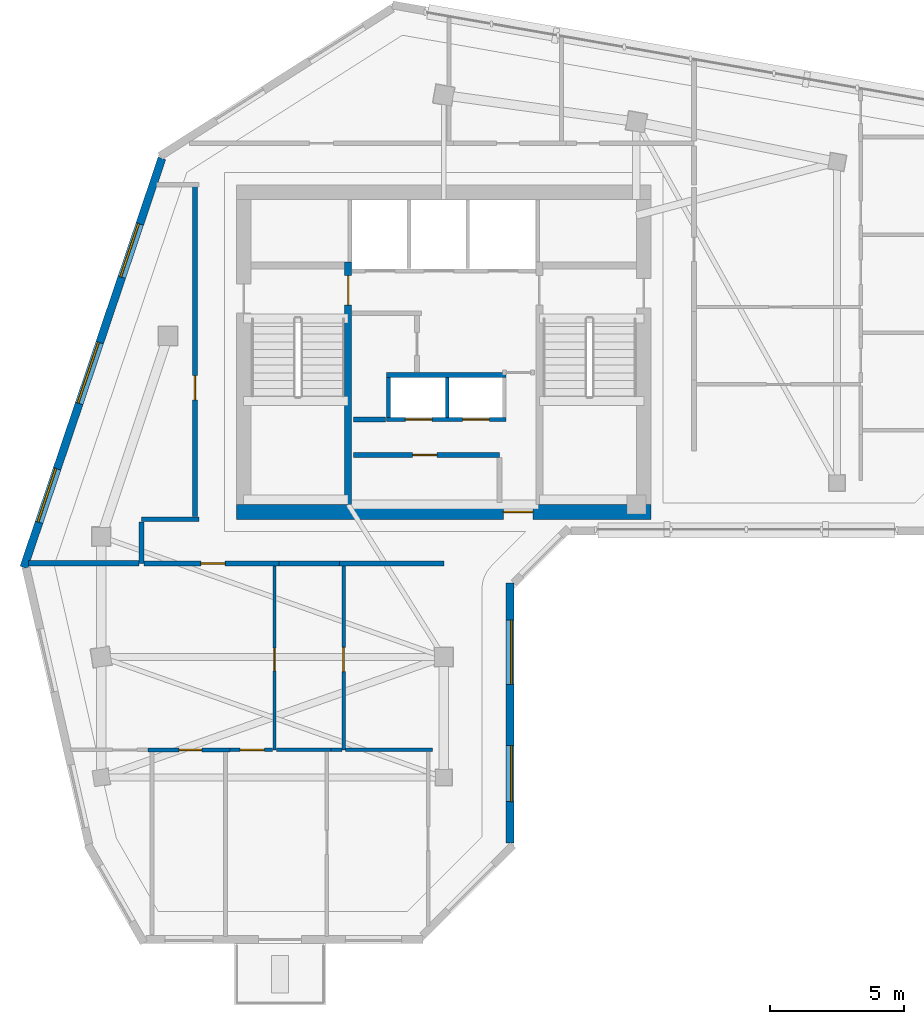
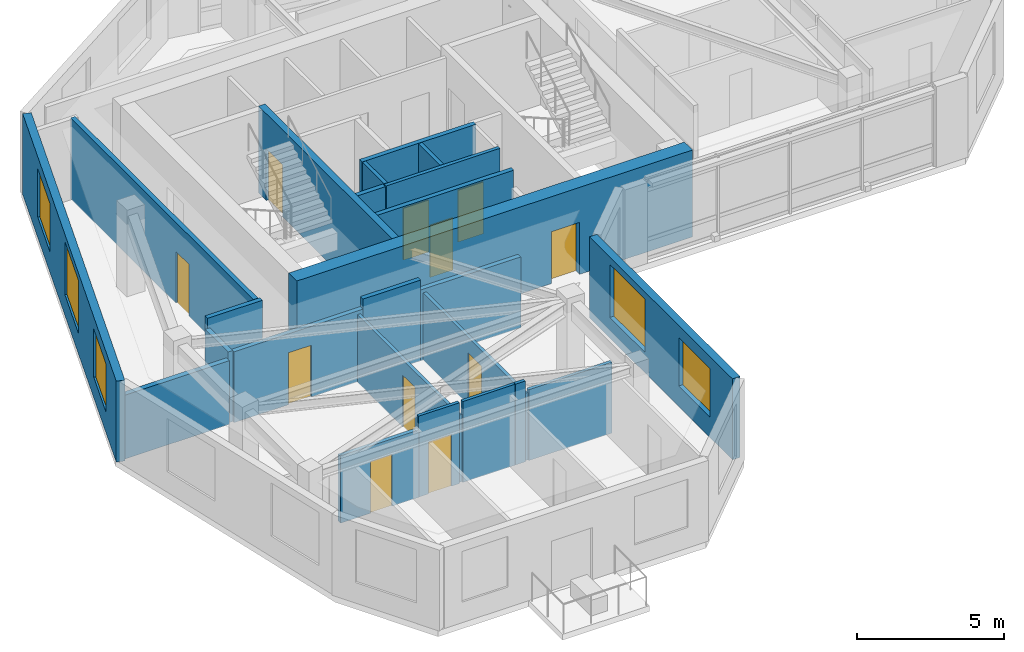
# One storey, part 3 of 8: 24 walls, 11 doors, 5 windows, 16 openings.
"""IFC4 building model written with IfcOpenShell, lengths in metres."""

from ifc_helpers import new_model, si_unit, direction, frame, frame_2d, origin, place, context, subcontext, project, spatial, rectangle, extrude, source, transform, mapped, material, layer, layer_set, type_object, element, fill, save


model = new_model("IFC4")

# Units and contexts
model_context = context("Model", 3, precision=1e-05, world=origin(), true_north=direction((0.0, 1.0)))
body_context = subcontext(model_context, "Body", "Model", "MODEL_VIEW")
ifc_project = project(units=[si_unit("LENGTHUNIT", "METRE"), si_unit("AREAUNIT", "SQUARE_METRE"), si_unit("VOLUMEUNIT", "CUBIC_METRE"), si_unit("PLANEANGLEUNIT", "RADIAN"), si_unit("MASSUNIT", "GRAM", prefix="KILO")], contexts=[model_context])

# Site, building, storey
site_placement = place(None, origin())
site = spatial("IfcSite", under=ifc_project, at=site_placement, CompositionType="ELEMENT")
building_placement = place(site_placement, origin())
building = spatial("IfcBuilding", under=site, at=building_placement, Name="Calvemar Wedge Station Tower", CompositionType="ELEMENT")
storey_placement = place(building_placement, frame((0.0, 0.0, 249.300048828125)))
storey = spatial("IfcBuildingStorey", under=building, at=storey_placement, Name="L63", CompositionType="ELEMENT", Elevation=249.300048828125)

# Wall, opening, door
ifc_material_1 = material(Name="Concrete C50", Category="concrete")
ifc_layer_1 = layer(ifc_material_1, 0.260009765625)
ifc_layer_set_1 = layer_set([ifc_layer_1], Name="Concrete C50")
wall_type_1 = type_object("IfcWallType", Name="SW-CORE-260", PredefinedType="SHEAR", material=ifc_layer_set_1)
wall_1_placement = place(storey_placement, frame((20.22998046875, 34.199951171875, 0.0), z_axis=(0.0, 0.0, 1.0), x_axis=(0.0, 1.0, 0.0)))
wall_1 = element("IfcWall", 1, at=wall_1_placement, inside=storey, type_object=wall_type_1, Name="Storey L63 Core Shear Wall SPINE-W", PredefinedType="SHEAR", context=body_context, shape_type="SweptSolid", body=[
    extrude(rectangle(XDim=9.06005859375, YDim=0.260009765625, at=frame_2d((4.530029296875, 0.0))), origin(), (0.0, 0.0, 1.0), 3.599853515625),
])
shared_shape_1 = source(origin(), body_context, "Body", "SweptSolid", [
    extrude(rectangle(XDim=1.10009765625, YDim=2.14990234375, at=frame_2d((0.550048828125, 1.074951171875))), frame((0.0, 0.14013671875, 0.0), z_axis=(0.0, -1.0, 0.0), x_axis=(1.0, 0.0, 0.0)), (0.0, 0.0, 1.0), 0.280029296875),
])
opening_1_placement = place(wall_1_placement, frame((7.449951171875, 0.0, 0.0)))
opening_1 = element("IfcOpeningElement", 2, at=opening_1_placement, cuts=wall_1, Name="Opening FD-90", PredefinedType="OPENING", context=body_context, shape_type="MappedRepresentation", body=[
    mapped(shared_shape_1, transform((0.0, 0.0, 0.0), scale=1.0)),
])
ifc_material_2 = material(Name="Galvanized fire-rated steel door leaf P-90", Category="steel")
door_type_1 = type_object("IfcDoorType", Name="DR-FD90-1100", OperationType="NOTDEFINED", PredefinedType="DOOR", material=ifc_material_2)
shared_shape_2 = source(origin(), body_context, "Body", "SweptSolid", [
    extrude(rectangle(XDim=1.10009765625, YDim=2.14990234375, at=frame_2d((0.550048828125, 1.074951171875))), frame((0.0, 0.02490234375, 0.0), z_axis=(0.0, -1.0, 0.0), x_axis=(1.0, 0.0, 0.0)), (0.0, 0.0, 1.0), 0.050048828125),
])
door_1_placement = place(opening_1_placement, origin())
door_1 = element("IfcDoor", 3, at=door_1_placement, inside=storey, type_object=door_type_1, Name="L63 FF Lobby to Stair ST-C1 Door", OperationType="SINGLE_SWING_RIGHT", OverallHeight=2.14990234375, OverallWidth=1.10009765625, PredefinedType="DOOR", context=body_context, shape_type="MappedRepresentation", body=[
    mapped(shared_shape_2, transform((0.0, 0.0, 0.0), scale=1.0)),
])
fill(opening_1, door_1)

ifc_material_3 = material(Name="Concrete C60", Category="concrete")
ifc_layer_2 = layer(ifc_material_3, 0.550048828125)
ifc_layer_set_2 = layer_set([ifc_layer_2], Name="Concrete C60")
wall_type_2 = type_object("IfcWallType", Name="SW-CORE-550", PredefinedType="SHEAR", material=ifc_layer_set_2)
wall_2_placement = place(storey_placement, frame((16.050048828125, 33.925048828125, 0.0), z_axis=(0.0, 0.0, 1.0), x_axis=(1.0, 0.0, 0.0)))
wall_2 = element("IfcWall", 4, at=wall_2_placement, inside=storey, type_object=wall_type_2, Name="Storey L63 Core Shear Wall S", PredefinedType="SHEAR", context=body_context, shape_type="SweptSolid", body=[
    extrude(rectangle(XDim=15.5, YDim=0.550048828125, at=frame_2d((7.75, 0.0))), origin(), (0.0, 0.0, 1.0), 3.599853515625),
])
shared_shape_3 = source(origin(), body_context, "Body", "SweptSolid", [
    extrude(rectangle(XDim=1.10009765625, YDim=2.14990234375, at=frame_2d((0.550048828125, 1.074951171875))), frame((0.0, 0.28515625, 0.0), z_axis=(0.0, -1.0, 0.0), x_axis=(1.0, 0.0, 0.0)), (0.0, 0.0, 1.0), 0.570068359375),
])
opening_2_placement = place(wall_2_placement, frame((9.97998046875, 0.0, 0.0)))
opening_2 = element("IfcOpeningElement", 5, at=opening_2_placement, cuts=wall_2, Name="Opening FD-90", PredefinedType="OPENING", context=body_context, shape_type="MappedRepresentation", body=[
    mapped(shared_shape_3, transform((0.0, 0.0, 0.0), scale=1.0)),
])
door_2_placement = place(opening_2_placement, origin())
door_2 = element("IfcDoor", 6, at=door_2_placement, inside=storey, type_object=door_type_1, Name="L63 Passenger Lift Lobby Door", OperationType="SINGLE_SWING_RIGHT", OverallHeight=2.14990234375, OverallWidth=1.10009765625, PredefinedType="DOOR", context=body_context, shape_type="MappedRepresentation", body=[
    mapped(shared_shape_2, transform((0.0, 0.0, 0.0), scale=1.0)),
])
fill(opening_2, door_2)

# Wall
ifc_material_4 = material(Name="Double-stud fire-rated corridor partition")
ifc_layer_3 = layer(ifc_material_4, 0.179931640625)
ifc_layer_set_3 = layer_set([ifc_layer_3], Name="Double-stud fire-rated corridor partition")
wall_type_3 = type_object("IfcWallType", Name="W-CORR-180", PredefinedType="PARTITIONING", material=ifc_layer_set_3)
wall_3_placement = place(storey_placement, frame((21.6298828125, 37.3798828125, 0.0), z_axis=(0.0, 0.0, 1.0), x_axis=(-1.0, 0.0, 0.0)))
element("IfcWall", 7, at=wall_3_placement, inside=storey, type_object=wall_type_3, Name="Storey L63 Interior Partition WL-L63-003", PredefinedType="PARTITIONING", context=body_context, shape_type="SweptSolid", body=[
    extrude(rectangle(XDim=1.2099609375, YDim=0.179931640625, at=frame_2d((0.60498046875, 0.0))), origin(), (0.0, 0.0, 1.0), 3.349853515625),
])

# Wall, opening, door
wall_4_placement = place(storey_placement, frame((20.419921875, 36.050048828125, 0.0), z_axis=(0.0, 0.0, 1.0), x_axis=(1.0, 0.0, 0.0)))
wall_4 = element("IfcWall", 8, at=wall_4_placement, inside=storey, type_object=wall_type_3, Name="Storey L63 Interior Partition WL-L63-005", PredefinedType="PARTITIONING", context=body_context, shape_type="SweptSolid", body=[
    extrude(rectangle(XDim=5.4599609375, YDim=0.179931640625, at=frame_2d((2.72998046875, 0.0))), origin(), (0.0, 0.0, 1.0), 3.349853515625),
])
shared_shape_4 = source(origin(), body_context, "Body", "SweptSolid", [
    extrude(rectangle(XDim=0.89990234375, YDim=2.14990234375, at=frame_2d((0.449951171875, 1.074951171875))), frame((0.0, 0.10009765625, 0.0), z_axis=(0.0, -1.0, 0.0), x_axis=(1.0, 0.0, 0.0)), (0.0, 0.0, 1.0), 0.199951171875),
])
opening_3_placement = place(wall_4_placement, frame((2.219482421875, 0.0, 0.0)))
opening_3 = element("IfcOpeningElement", 9, at=opening_3_placement, cuts=wall_4, Name="Opening FD-60", PredefinedType="OPENING", context=body_context, shape_type="MappedRepresentation", body=[
    mapped(shared_shape_4, transform((0.0, 0.0, 0.0), scale=1.0)),
])
ifc_material_5 = material(Name="Fire-rated acoustic timber-core entrance door EI 60", Category="wood")
door_type_2 = type_object("IfcDoorType", Name="DR-FD60-900", OperationType="NOTDEFINED", PredefinedType="DOOR", material=ifc_material_5)
shared_shape_5 = source(origin(), body_context, "Body", "SweptSolid", [
    extrude(rectangle(XDim=0.89990234375, YDim=2.14990234375, at=frame_2d((0.449951171875, 1.074951171875))), frame((0.0, 0.02490234375, 0.0), z_axis=(0.0, -1.0, 0.0), x_axis=(1.0, 0.0, 0.0)), (0.0, 0.0, 1.0), 0.050048828125),
])
door_3_placement = place(opening_3_placement, origin())
door_3 = element("IfcDoor", 10, at=door_3_placement, inside=storey, type_object=door_type_2, Name="L63 Wine and Parcel Store Door", OperationType="SINGLE_SWING_LEFT", OverallHeight=2.14990234375, OverallWidth=0.89990234375, PredefinedType="DOOR", context=body_context, shape_type="MappedRepresentation", body=[
    mapped(shared_shape_5, transform((0.0, 0.0, 0.0), scale=1.0)),
])
fill(opening_3, door_3)

# Walls
wall_5_placement = place(storey_placement, frame((12.5, 33.64990234375, 0.0), z_axis=(0.0, 0.0, 1.0), x_axis=(1.0, 0.0, 0.0)))
element("IfcWall", 11, at=wall_5_placement, inside=storey, type_object=wall_type_3, Name="Storey L63 Interior Partition WL-L63-007", PredefinedType="PARTITIONING", context=body_context, shape_type="SweptSolid", body=[
    extrude(rectangle(XDim=2.159912109375, YDim=0.179931640625, at=frame_2d((1.080078125, 0.0))), origin(), (0.0, 0.0, 1.0), 3.349853515625),
])
wall_6_placement = place(storey_placement, frame((12.5, 32.0, 0.0), z_axis=(0.0, 0.0, 1.0), x_axis=(0.0, 1.0, 0.0)))
element("IfcWall", 12, at=wall_6_placement, inside=storey, type_object=wall_type_3, Name="Storey L63 Interior Partition WL-L63-008", PredefinedType="PARTITIONING", context=body_context, shape_type="SweptSolid", body=[
    extrude(rectangle(XDim=1.555908203125, YDim=0.179931640625, at=frame_2d((0.77783203125, 0.0))), origin(), (0.0, 0.0, 1.0), 2.93505859375),
])
wall_7_placement = place(storey_placement, frame((23.818115234375, 32.0, 0.0), z_axis=(0.0, 0.0, 1.0), x_axis=(-1.0, 0.0, 0.0)))
element("IfcWall", 13, at=wall_7_placement, inside=storey, type_object=wall_type_3, Name="Storey L63 Interior Partition WL-L63-009", PredefinedType="PARTITIONING", context=body_context, shape_type="SweptSolid", body=[
    extrude(rectangle(XDim=3.920166015625, YDim=0.179931640625, at=frame_2d((1.9599609375, 0.0))), origin(), (0.0, 0.0, 1.0), 2.93505859375),
])

# Wall, opening, door
wall_8_placement = place(storey_placement, frame((17.635009765625, 32.0, 0.0), z_axis=(0.0, 0.0, 1.0), x_axis=(-1.0, 0.0, 0.0)))
wall_8 = element("IfcWall", 14, at=wall_8_placement, inside=storey, type_object=wall_type_3, Name="Storey L63 Interior Partition WL-L63-010", PredefinedType="PARTITIONING", context=body_context, shape_type="SweptSolid", body=[
    extrude(rectangle(XDim=5.041015625, YDim=0.179931640625, at=frame_2d((2.5205078125, 0.0))), origin(), (0.0, 0.0, 1.0), 2.93505859375),
])
opening_4_placement = place(wall_8_placement, frame((2.0087890625, 0.0, 0.0)))
opening_4 = element("IfcOpeningElement", 15, at=opening_4_placement, cuts=wall_8, Name="Opening FD-60", PredefinedType="OPENING", context=body_context, shape_type="MappedRepresentation", body=[
    mapped(shared_shape_4, transform((0.0, 0.0, 0.0), scale=1.0)),
])
door_4_placement = place(opening_4_placement, origin())
door_4 = element("IfcDoor", 16, at=door_4_placement, inside=storey, type_object=door_type_2, Name="L63 Living Dining Door", OperationType="SINGLE_SWING_LEFT", OverallHeight=2.14990234375, OverallWidth=0.89990234375, PredefinedType="DOOR", context=body_context, shape_type="MappedRepresentation", body=[
    mapped(shared_shape_5, transform((0.0, 0.0, 0.0), scale=1.0)),
])
fill(opening_4, door_4)

# Wall
wall_9_placement = place(storey_placement, frame((19.89599609375, 32.0, 0.0), z_axis=(0.0, 0.0, 1.0), x_axis=(-1.0, 0.0, 0.0)))
element("IfcWall", 17, at=wall_9_placement, inside=storey, type_object=wall_type_3, Name="Storey L63 Interior Partition WL-L63-011", PredefinedType="PARTITIONING", context=body_context, shape_type="SweptSolid", body=[
    extrude(rectangle(XDim=2.259033203125, YDim=0.179931640625, at=frame_2d((1.12939453125, 0.0))), origin(), (0.0, 0.0, 1.0), 3.349853515625),
])

# Wall, opening, door
wall_10_placement = place(storey_placement, frame((14.5, 33.743896484375, 0.0), z_axis=(0.0, 0.0, 1.0), x_axis=(0.0, 1.0, 0.0)))
wall_10 = element("IfcWall", 18, at=wall_10_placement, inside=storey, type_object=wall_type_3, Name="Storey L63 Interior Partition WL-L63-012", PredefinedType="PARTITIONING", context=body_context, shape_type="SweptSolid", body=[
    extrude(rectangle(XDim=12.406005859375, YDim=0.179931640625, at=frame_2d((6.203125, 0.0))), origin(), (0.0, 0.0, 1.0), 3.349853515625),
])
opening_5_placement = place(wall_10_placement, frame((4.36962890625, 0.0, 0.0)))
opening_5 = element("IfcOpeningElement", 19, at=opening_5_placement, cuts=wall_10, Name="Opening D-01", PredefinedType="OPENING", context=body_context, shape_type="MappedRepresentation", body=[
    mapped(shared_shape_4, transform((0.0, 0.0, 0.0), scale=1.0)),
])
ifc_material_6 = material(Name="Architectural hardwood acoustic swing door", Category="wood")
door_type_3 = type_object("IfcDoorType", Name="DR-INT-900", OperationType="NOTDEFINED", PredefinedType="DOOR", material=ifc_material_6)
shared_shape_6 = source(origin(), body_context, "Body", "SweptSolid", [
    extrude(rectangle(XDim=0.89990234375, YDim=2.14990234375, at=frame_2d((0.449951171875, 1.074951171875))), frame((0.0, 0.02490234375, 0.0), z_axis=(0.0, -1.0, 0.0), x_axis=(1.0, 0.0, 0.0)), (0.0, 0.0, 1.0), 0.050048828125),
])
door_5_placement = place(opening_5_placement, origin())
door_5 = element("IfcDoor", 20, at=door_5_placement, inside=storey, type_object=door_type_3, Name="L63 Resident Reading Lounge Door", OperationType="SINGLE_SWING_RIGHT", OverallHeight=2.14990234375, OverallWidth=0.89990234375, PredefinedType="DOOR", context=body_context, shape_type="MappedRepresentation", body=[
    mapped(shared_shape_6, transform((0.0, 0.0, 0.0), scale=1.0)),
])
fill(opening_5, door_5)

# Wall
ifc_material_7 = material(Name="Twin-stud fire-rated inter-tenancy wall")
ifc_layer_4 = layer(ifc_material_7, 0.199951171875)
ifc_layer_set_4 = layer_set([ifc_layer_4], Name="Twin-stud fire-rated inter-tenancy wall")
wall_type_4 = type_object("IfcWallType", Name="W-DEMISE-200", PredefinedType="PARTITIONING", material=ifc_layer_set_4)
wall_11_placement = place(storey_placement, frame((12.406005859375, 32.0, 0.0), z_axis=(0.0, 0.0, 1.0), x_axis=(-1.0, 0.0, 0.0)))
element("IfcWall", 21, at=wall_11_placement, inside=storey, type_object=wall_type_4, Name="Storey L63 Interior Partition WL-L63-021", PredefinedType="PARTITIONING", context=body_context, shape_type="SweptSolid", body=[
    extrude(rectangle(XDim=4.126220703125, YDim=0.199951171875, at=frame_2d((2.06298828125, 0.0))), origin(), (0.0, 0.0, 1.0), 2.641845703125),
])

# Wall, openings, windows
ifc_material_8 = material(Name="Precast concrete C45", Category="concrete")
ifc_layer_5 = layer(ifc_material_8, 0.300048828125)
ifc_layer_set_5 = layer_set([ifc_layer_5], Name="Precast concrete C45")
wall_type_5 = type_object("IfcWallType", Name="W-EXT-GFRC-300", PredefinedType="SOLIDWALL", material=ifc_layer_set_5)
wall_12_placement = place(storey_placement, frame((26.281982421875, 21.557373046875, 0.0), z_axis=(0.0, 0.0, 1.0), x_axis=(0.0, 1.0, 0.0)))
wall_12 = element("IfcWall", 22, at=wall_12_placement, inside=storey, type_object=wall_type_5, Name="Storey L63 Bronze GFRC Exterior Wall 4", PredefinedType="SOLIDWALL", context=body_context, shape_type="SweptSolid", body=[
    extrude(rectangle(XDim=9.710693359375, YDim=0.300048828125, at=frame_2d((4.85546875, 0.0))), origin(), (0.0, 0.0, 1.0), 3.349853515625),
])
shared_shape_7 = source(origin(), body_context, "Body", "SweptSolid", [
    extrude(rectangle(XDim=2.10009765625, YDim=2.0, at=frame_2d((1.050048828125, 1.0))), frame((0.0, 0.16015625, 0.0), z_axis=(0.0, -1.0, 0.0), x_axis=(1.0, 0.0, 0.0)), (0.0, 0.0, 1.0), 0.320068359375),
])
opening_6_placement = place(wall_12_placement, frame((1.5380859375, 0.0, 0.85009765625)))
opening_6 = element("IfcOpeningElement", 23, at=opening_6_placement, cuts=wall_12, Name="Opening W4", PredefinedType="OPENING", context=body_context, shape_type="MappedRepresentation", body=[
    mapped(shared_shape_7, transform((0.0, 0.0, 0.0), scale=1.0)),
])
shared_shape_8 = source(origin(), body_context, "Body", "SweptSolid", [
    extrude(rectangle(XDim=2.39990234375, YDim=2.199951171875, at=frame_2d((1.199951171875, 1.10009765625))), frame((0.0, 0.16015625, 0.0), z_axis=(0.0, -1.0, 0.0), x_axis=(1.0, 0.0, 0.0)), (0.0, 0.0, 1.0), 0.320068359375),
])
opening_7_placement = place(wall_12_placement, frame((5.923095703125, 0.0, 0.85009765625)))
opening_7 = element("IfcOpeningElement", 24, at=opening_7_placement, cuts=wall_12, Name="Opening W1", PredefinedType="OPENING", context=body_context, shape_type="MappedRepresentation", body=[
    mapped(shared_shape_8, transform((0.0, 0.0, 0.0), scale=1.0)),
])
ifc_material_9 = material(Name="Low-E laminated insulated glass", Category="glass")
window_type_1 = type_object("IfcWindowType", Name="WIN-EXT-4", PartitioningType="SINGLE_PANEL", PredefinedType="WINDOW", material=ifc_material_9)
shared_shape_9 = source(origin(), body_context, "Body", "SweptSolid", [
    extrude(rectangle(XDim=2.10009765625, YDim=2.0, at=frame_2d((1.050048828125, 1.0))), frame((0.0, -0.014892578125, 0.0), z_axis=(0.0, -1.0, 0.0), x_axis=(1.0, 0.0, 0.0)), (0.0, 0.0, 1.0), 0.06005859375),
])
window_1_placement = place(opening_6_placement, origin())
window_1 = element("IfcWindow", 25, at=window_1_placement, inside=storey, type_object=window_type_1, Name="Storey L63 Recessed Window 4.1", OverallHeight=2.0, OverallWidth=2.10009765625, PartitioningType="SINGLE_PANEL", PredefinedType="WINDOW", context=body_context, shape_type="MappedRepresentation", body=[
    mapped(shared_shape_9, transform((0.0, 0.0, 0.0), scale=1.0)),
])
fill(opening_6, window_1)
window_type_2 = type_object("IfcWindowType", Name="WIN-EXT-1", PartitioningType="SINGLE_PANEL", PredefinedType="WINDOW", material=ifc_material_9)
shared_shape_10 = source(origin(), body_context, "Body", "SweptSolid", [
    extrude(rectangle(XDim=2.39990234375, YDim=2.199951171875, at=frame_2d((1.199951171875, 1.10009765625))), frame((0.0, -0.014892578125, 0.0), z_axis=(0.0, -1.0, 0.0), x_axis=(1.0, 0.0, 0.0)), (0.0, 0.0, 1.0), 0.06005859375),
])
window_2_placement = place(opening_7_placement, origin())
window_2 = element("IfcWindow", 26, at=window_2_placement, inside=storey, type_object=window_type_2, Name="Storey L63 Recessed Window 4.2", OverallHeight=2.199951171875, OverallWidth=2.39990234375, PartitioningType="SINGLE_PANEL", PredefinedType="WINDOW", context=body_context, shape_type="MappedRepresentation", body=[
    mapped(shared_shape_10, transform((0.0, 0.0, 0.0), scale=1.0)),
])
fill(opening_7, window_2)

wall_13_placement = place(storey_placement, frame((13.2685546875, 47.1337890625, 0.0), z_axis=(0.0, 0.0, 1.0), x_axis=(-0.3199211297, -0.947444178182, 0.0)))
wall_13 = element("IfcWall", 27, at=wall_13_placement, inside=storey, type_object=wall_type_5, Name="Storey L63 Bronze GFRC Exterior Wall 12", PredefinedType="SOLIDWALL", context=body_context, shape_type="SweptSolid", body=[
    extrude(rectangle(XDim=16.1318359375, YDim=0.300048828125, at=frame_2d((8.06591796875, 0.0))), origin(), (0.0, 0.0, 1.0), 3.349853515625),
])
opening_8_placement = place(wall_13_placement, frame((2.5849609375, 0.0, 0.85009765625)))
opening_8 = element("IfcOpeningElement", 28, at=opening_8_placement, cuts=wall_13, Name="Opening W4", PredefinedType="OPENING", context=body_context, shape_type="MappedRepresentation", body=[
    mapped(shared_shape_7, transform((0.0, 0.0, 0.0), scale=1.0)),
])
opening_9_placement = place(wall_13_placement, frame((7.26708984375, 0.0, 0.85009765625)))
opening_9 = element("IfcOpeningElement", 29, at=opening_9_placement, cuts=wall_13, Name="Opening W1", PredefinedType="OPENING", context=body_context, shape_type="MappedRepresentation", body=[
    mapped(shared_shape_8, transform((0.0, 0.0, 0.0), scale=1.0)),
])
opening_10_placement = place(wall_13_placement, frame((12.2490234375, 0.0, 0.85009765625)))
opening_10 = element("IfcOpeningElement", 30, at=opening_10_placement, cuts=wall_13, Name="Opening W4", PredefinedType="OPENING", context=body_context, shape_type="MappedRepresentation", body=[
    mapped(shared_shape_7, transform((0.0, 0.0, 0.0), scale=1.0)),
])
window_3_placement = place(opening_8_placement, origin())
window_3 = element("IfcWindow", 31, at=window_3_placement, inside=storey, type_object=window_type_1, Name="Storey L63 Recessed Window 12.1", OverallHeight=2.0, OverallWidth=2.10009765625, PartitioningType="SINGLE_PANEL", PredefinedType="WINDOW", context=body_context, shape_type="MappedRepresentation", body=[
    mapped(shared_shape_9, transform((0.0, 0.0, 0.0), scale=1.0)),
])
fill(opening_8, window_3)
window_4_placement = place(opening_10_placement, origin())
window_4 = element("IfcWindow", 32, at=window_4_placement, inside=storey, type_object=window_type_1, Name="Storey L63 Recessed Window 12.3", OverallHeight=2.0, OverallWidth=2.10009765625, PartitioningType="SINGLE_PANEL", PredefinedType="WINDOW", context=body_context, shape_type="MappedRepresentation", body=[
    mapped(shared_shape_9, transform((0.0, 0.0, 0.0), scale=1.0)),
])
fill(opening_10, window_4)
window_5_placement = place(opening_9_placement, origin())
window_5 = element("IfcWindow", 33, at=window_5_placement, inside=storey, type_object=window_type_2, Name="Storey L63 Recessed Window 12.2", OverallHeight=2.199951171875, OverallWidth=2.39990234375, PartitioningType="SINGLE_PANEL", PredefinedType="WINDOW", context=body_context, shape_type="MappedRepresentation", body=[
    mapped(shared_shape_10, transform((0.0, 0.0, 0.0), scale=1.0)),
])
fill(opening_9, window_5)

# Wall, openings, doors
ifc_material_10 = material(Name="Reinforced concrete blockwork lift shaft wall", Category="masonry")
ifc_layer_6 = layer(ifc_material_10, 0.139892578125)
ifc_layer_set_6 = layer_set([ifc_layer_6], Name="Reinforced concrete blockwork lift shaft wall")
wall_type_6 = type_object("IfcWallType", Name="W-LIFT-160", PredefinedType="SOLIDWALL", material=ifc_layer_set_6)
wall_14_placement = place(storey_placement, frame((21.669921875, 37.3798828125, 0.0), z_axis=(0.0, 0.0, 1.0), x_axis=(1.0, 0.0, 0.0)))
wall_14 = element("IfcWall", 34, at=wall_14_placement, inside=storey, type_object=wall_type_6, Name="Storey L63 Upper Passenger Lift Bank Front Wall", PredefinedType="SOLIDWALL", context=body_context, shape_type="SweptSolid", body=[
    extrude(rectangle(XDim=4.4599609375, YDim=0.139892578125, at=frame_2d((2.22998046875, 0.0))), origin(), (0.0, 0.0, 1.0), 3.349853515625),
])
shared_shape_11 = source(origin(), body_context, "Body", "SweptSolid", [
    extrude(rectangle(XDim=1.0, YDim=2.14990234375, at=frame_2d((0.5, 1.074951171875))), frame((0.0, 0.080078125, 0.0), z_axis=(0.0, -1.0, 0.0), x_axis=(1.0, 0.0, 0.0)), (0.0, 0.0, 1.0), 0.159912109375),
])
opening_11_placement = place(wall_14_placement, frame((0.695068359375, 0.0, 0.0)))
opening_11 = element("IfcOpeningElement", 35, at=opening_11_placement, cuts=wall_14, Name="Opening LD-PAX", PredefinedType="OPENING", context=body_context, shape_type="MappedRepresentation", body=[
    mapped(shared_shape_11, transform((0.0, 0.0, 0.0), scale=1.0)),
])
opening_12_placement = place(wall_14_placement, frame((2.8349609375, 0.0, 0.0)))
opening_12 = element("IfcOpeningElement", 36, at=opening_12_placement, cuts=wall_14, Name="Opening LD-PAX", PredefinedType="OPENING", context=body_context, shape_type="MappedRepresentation", body=[
    mapped(shared_shape_11, transform((0.0, 0.0, 0.0), scale=1.0)),
])
ifc_material_11 = material(Name="Anodised bronze passenger lift sliding landing door")
door_type_4 = type_object("IfcDoorType", Name="DR-LD-PAX-1000", OperationType="SLIDING_TO_LEFT", PredefinedType="DOOR", material=ifc_material_11)
shared_shape_12 = source(origin(), body_context, "Body", "SweptSolid", [
    extrude(rectangle(XDim=1.0, YDim=2.14990234375, at=frame_2d((0.5, 1.074951171875))), frame((0.0, 0.02490234375, 0.0), z_axis=(0.0, -1.0, 0.0), x_axis=(1.0, 0.0, 0.0)), (0.0, 0.0, 1.0), 0.050048828125),
])
door_6_placement = place(opening_11_placement, origin())
door_6 = element("IfcDoor", 37, at=door_6_placement, inside=storey, type_object=door_type_4, Name="L63 Lift RH-02 Sliding Landing Door", OperationType="SLIDING_TO_RIGHT", OverallHeight=2.14990234375, OverallWidth=1.0, PredefinedType="DOOR", context=body_context, shape_type="MappedRepresentation", body=[
    mapped(shared_shape_12, transform((0.0, 0.0, 0.0), scale=1.0)),
])
fill(opening_11, door_6)
door_7_placement = place(opening_12_placement, origin())
door_7 = element("IfcDoor", 38, at=door_7_placement, inside=storey, type_object=door_type_4, Name="L63 Lift RH-03 Sliding Landing Door", OperationType="SLIDING_TO_LEFT", OverallHeight=2.14990234375, OverallWidth=1.0, PredefinedType="DOOR", context=body_context, shape_type="MappedRepresentation", body=[
    mapped(shared_shape_12, transform((0.0, 0.0, 0.0), scale=1.0)),
])
fill(opening_12, door_7)

# Walls
for number, where, z_axis, x_axis, name in (
    (39, (21.739990234375, 37.4599609375, 0.0), (0.0, 0.0, 1.0), (0.0, 1.0, 0.0), "Storey L63 Upper Passenger Lift Shaft Wall W"),
    (40, (23.93505859375, 37.4599609375, 0.0), (0.0, 0.0, 1.0), (0.0, 1.0, 0.0), "Storey L63 Upper Passenger Lift Shaft Wall D1"),
):
    element("IfcWall", number, at=place(storey_placement, frame(where, z_axis=z_axis, x_axis=x_axis)), inside=storey, type_object=wall_type_6, Name=name, PredefinedType="SOLIDWALL", context=body_context, shape_type="SweptSolid", body=[
        extrude(rectangle(XDim=1.47998046875, YDim=0.139892578125, at=frame_2d((0.739990234375, 0.0))), origin(), (0.0, 0.0, 1.0), 3.349853515625),
    ])

# Wall, opening, door
ifc_material_12 = material(Name="Insulated acoustic gypsum stud partition")
ifc_layer_7 = layer(ifc_material_12, 0.125)
ifc_layer_set_7 = layer_set([ifc_layer_7], Name="Insulated acoustic gypsum stud partition")
wall_type_7 = type_object("IfcWallType", Name="W-PART-125", PredefinedType="PARTITIONING", material=ifc_layer_set_7)
wall_15_placement = place(storey_placement, frame((20.05810546875, 25.031982421875, 0.0), z_axis=(0.0, 0.0, 1.0), x_axis=(0.0, 1.0, 0.0)))
wall_15 = element("IfcWall", 41, at=wall_15_placement, inside=storey, type_object=wall_type_7, Name="Storey L63 Interior Partition WL-L63-038", PredefinedType="PARTITIONING", context=body_context, shape_type="SweptSolid", body=[
    extrude(rectangle(XDim=6.8740234375, YDim=0.125, at=frame_2d((3.43701171875, 0.0))), origin(), (0.0, 0.0, 1.0), 2.787841796875),
])
shared_shape_13 = source(origin(), body_context, "Body", "SweptSolid", [
    extrude(rectangle(XDim=0.89990234375, YDim=2.14990234375, at=frame_2d((0.449951171875, 1.074951171875))), frame((0.0, 0.072509765625, 0.0), z_axis=(0.0, -1.0, 0.0), x_axis=(1.0, 0.0, 0.0)), (0.0, 0.0, 1.0), 0.14501953125),
])
opening_13_placement = place(wall_15_placement, frame((2.9267578125, 0.0, 0.0)))
opening_13 = element("IfcOpeningElement", 42, at=opening_13_placement, cuts=wall_15, Name="Opening D-01", PredefinedType="OPENING", context=body_context, shape_type="MappedRepresentation", body=[
    mapped(shared_shape_13, transform((0.0, 0.0, 0.0), scale=1.0)),
])
door_8_placement = place(opening_13_placement, origin())
door_8 = element("IfcDoor", 43, at=door_8_placement, inside=storey, type_object=door_type_3, Name="L63 Study Door", OperationType="SINGLE_SWING_RIGHT", OverallHeight=2.14990234375, OverallWidth=0.89990234375, PredefinedType="DOOR", context=body_context, shape_type="MappedRepresentation", body=[
    mapped(shared_shape_6, transform((0.0, 0.0, 0.0), scale=1.0)),
])
fill(opening_13, door_8)

# Wall
wall_16_placement = place(storey_placement, frame((23.376953125, 25.031982421875, 0.0), z_axis=(0.0, 0.0, 1.0), x_axis=(-1.0, 0.0, 0.0)))
element("IfcWall", 44, at=wall_16_placement, inside=storey, type_object=wall_type_7, Name="Storey L63 Interior Partition WL-L63-039", PredefinedType="PARTITIONING", context=body_context, shape_type="SweptSolid", body=[
    extrude(rectangle(XDim=3.25244140625, YDim=0.125, at=frame_2d((1.626220703125, 0.0))), origin(), (0.0, 0.0, 1.0), 2.93505859375),
])

# Wall, opening, door
wall_17_placement = place(storey_placement, frame((17.47509765625, 31.906005859375, 0.0), z_axis=(0.0, 0.0, 1.0), x_axis=(0.0, -1.0, 0.0)))
wall_17 = element("IfcWall", 45, at=wall_17_placement, inside=storey, type_object=wall_type_7, Name="Storey L63 Interior Partition WL-L63-040", PredefinedType="PARTITIONING", context=body_context, shape_type="SweptSolid", body=[
    extrude(rectangle(XDim=6.8740234375, YDim=0.125, at=frame_2d((3.43701171875, 0.0))), origin(), (0.0, 0.0, 1.0), 2.787841796875),
])
shared_shape_14 = source(origin(), body_context, "Body", "SweptSolid", [
    extrude(rectangle(XDim=0.85009765625, YDim=2.14990234375, at=frame_2d((0.425048828125, 1.074951171875))), frame((0.0, 0.072509765625, 0.0), z_axis=(0.0, -1.0, 0.0), x_axis=(1.0, 0.0, 0.0)), (0.0, 0.0, 1.0), 0.14501953125),
])
opening_14_placement = place(wall_17_placement, frame((3.07275390625, 0.0, 0.0)))
opening_14 = element("IfcOpeningElement", 46, at=opening_14_placement, cuts=wall_17, Name="Opening D-02", PredefinedType="OPENING", context=body_context, shape_type="MappedRepresentation", body=[
    mapped(shared_shape_14, transform((0.0, 0.0, 0.0), scale=1.0)),
])
ifc_material_13 = material(Name="Moisture-sealed bathroom hardwood swing door", Category="wood")
door_type_5 = type_object("IfcDoorType", Name="DR-WET-850", OperationType="NOTDEFINED", PredefinedType="DOOR", material=ifc_material_13)
shared_shape_15 = source(origin(), body_context, "Body", "SweptSolid", [
    extrude(rectangle(XDim=0.85009765625, YDim=2.14990234375, at=frame_2d((0.425048828125, 1.074951171875))), frame((0.0, 0.02490234375, 0.0), z_axis=(0.0, -1.0, 0.0), x_axis=(1.0, 0.0, 0.0)), (0.0, 0.0, 1.0), 0.050048828125),
])
door_9_placement = place(opening_14_placement, origin())
door_9 = element("IfcDoor", 47, at=door_9_placement, inside=storey, type_object=door_type_5, Name="L63 Kitchen Door", OperationType="SINGLE_SWING_RIGHT", OverallHeight=2.14990234375, OverallWidth=0.85009765625, PredefinedType="DOOR", context=body_context, shape_type="MappedRepresentation", body=[
    mapped(shared_shape_15, transform((0.0, 0.0, 0.0), scale=1.0)),
])
fill(opening_14, door_9)

wall_18_placement = place(storey_placement, frame((17.408447265625, 25.031982421875, 0.0), z_axis=(0.0, 0.0, 1.0), x_axis=(-1.0, 0.0, 0.0)))
wall_18 = element("IfcWall", 48, at=wall_18_placement, inside=storey, type_object=wall_type_7, Name="Storey L63 Interior Partition WL-L63-043", PredefinedType="PARTITIONING", context=body_context, shape_type="SweptSolid", body=[
    extrude(rectangle(XDim=1.596435546875, YDim=0.125, at=frame_2d((0.79833984375, 0.0))), origin(), (0.0, 0.0, 1.0), 3.349853515625),
])
opening_15_placement = place(wall_18_placement, frame((0.314208984375, 0.0, 0.0)))
opening_15 = element("IfcOpeningElement", 49, at=opening_15_placement, cuts=wall_18, Name="Opening D-01", PredefinedType="OPENING", context=body_context, shape_type="MappedRepresentation", body=[
    mapped(shared_shape_13, transform((0.0, 0.0, 0.0), scale=1.0)),
])
door_10_placement = place(opening_15_placement, origin())
door_10 = element("IfcDoor", 50, at=door_10_placement, inside=storey, type_object=door_type_3, Name="L63 Master Bedroom Door", OperationType="SINGLE_SWING_LEFT", OverallHeight=2.14990234375, OverallWidth=0.89990234375, PredefinedType="DOOR", context=body_context, shape_type="MappedRepresentation", body=[
    mapped(shared_shape_6, transform((0.0, 0.0, 0.0), scale=1.0)),
])
fill(opening_15, door_10)

# Walls
wall_19_placement = place(storey_placement, frame((19.593994140625, 25.031982421875, 0.0), z_axis=(0.0, 0.0, 1.0), x_axis=(-1.0, 0.0, 0.0)))
element("IfcWall", 51, at=wall_19_placement, inside=storey, type_object=wall_type_7, Name="Storey L63 Interior Partition WL-L63-044", PredefinedType="PARTITIONING", context=body_context, shape_type="SweptSolid", body=[
    extrude(rectangle(XDim=2.052490234375, YDim=0.125, at=frame_2d((1.0263671875, 0.0))), origin(), (0.0, 0.0, 1.0), 3.349853515625),
])
wall_20_placement = place(storey_placement, frame((19.991455078125, 25.031982421875, 0.0), z_axis=(0.0, 0.0, 1.0), x_axis=(-1.0, 0.0, 0.0)))
element("IfcWall", 52, at=wall_20_placement, inside=storey, type_object=wall_type_7, Name="Storey L63 Interior Partition WL-L63-045", PredefinedType="PARTITIONING", context=body_context, shape_type="SweptSolid", body=[
    extrude(rectangle(XDim=0.3955078125, YDim=0.125, at=frame_2d((0.19775390625, 0.0))), origin(), (0.0, 0.0, 1.0), 3.349853515625),
])
ifc_material_14 = material(Name="Concrete blockwork and fireboard shaft wall", Category="masonry")
ifc_layer_8 = layer(ifc_material_14, 0.199951171875)
ifc_layer_set_8 = layer_set([ifc_layer_8], Name="Concrete blockwork and fireboard shaft wall")
wall_type_8 = type_object("IfcWallType", Name="W-SHAFT-200", PredefinedType="SOLIDWALL", material=ifc_layer_set_8)
wall_21_placement = place(storey_placement, frame((21.669921875, 39.0400390625, 0.0), z_axis=(0.0, 0.0, 1.0), x_axis=(1.0, 0.0, 0.0)))
element("IfcWall", 53, at=wall_21_placement, inside=storey, type_object=wall_type_8, Name="Storey L63 Upper Passenger Lift Bank Rear Shaft Wall", PredefinedType="SOLIDWALL", context=body_context, shape_type="SweptSolid", body=[
    extrude(rectangle(XDim=4.4599609375, YDim=0.179931640625, at=frame_2d((2.22998046875, 0.0))), origin(), (0.0, 0.0, 1.0), 3.349853515625),
])

# Wall, opening, door
ifc_material_15 = material(Name="Moisture-resistant acoustic bathroom partition")
ifc_layer_9 = layer(ifc_material_15, 0.14990234375)
ifc_layer_set_9 = layer_set([ifc_layer_9], Name="Moisture-resistant acoustic bathroom partition")
wall_type_9 = type_object("IfcWallType", Name="W-WET-150", PredefinedType="PARTITIONING", material=ifc_layer_set_9)
wall_22_placement = place(storey_placement, frame((15.81005859375, 25.031982421875, 0.0), z_axis=(0.0, 0.0, 1.0), x_axis=(-1.0, 0.0, 0.0)))
wall_22 = element("IfcWall", 54, at=wall_22_placement, inside=storey, type_object=wall_type_9, Name="Storey L63 Interior Partition WL-L63-041", PredefinedType="PARTITIONING", context=body_context, shape_type="SweptSolid", body=[
    extrude(rectangle(XDim=3.070068359375, YDim=0.14990234375, at=frame_2d((1.53515625, 0.0))), origin(), (0.0, 0.0, 1.0), 2.787841796875),
])
shared_shape_16 = source(origin(), body_context, "Body", "SweptSolid", [
    extrude(rectangle(XDim=0.85009765625, YDim=2.14990234375, at=frame_2d((0.425048828125, 1.074951171875))), frame((0.0, 0.0849609375, 0.0), z_axis=(0.0, -1.0, 0.0), x_axis=(1.0, 0.0, 0.0)), (0.0, 0.0, 1.0), 0.169921875),
])
opening_16_placement = place(wall_22_placement, frame((1.046142578125, 0.0, 0.0)))
opening_16 = element("IfcOpeningElement", 55, at=opening_16_placement, cuts=wall_22, Name="Opening D-02", PredefinedType="OPENING", context=body_context, shape_type="MappedRepresentation", body=[
    mapped(shared_shape_16, transform((0.0, 0.0, 0.0), scale=1.0)),
])
door_11_placement = place(opening_16_placement, origin())
door_11 = element("IfcDoor", 56, at=door_11_placement, inside=storey, type_object=door_type_5, Name="L63 Bathroom Door", OperationType="SINGLE_SWING_LEFT", OverallHeight=2.14990234375, OverallWidth=0.85009765625, PredefinedType="DOOR", context=body_context, shape_type="MappedRepresentation", body=[
    mapped(shared_shape_15, transform((0.0, 0.0, 0.0), scale=1.0)),
])
fill(opening_16, door_11)

save(model, "model.ifc")
